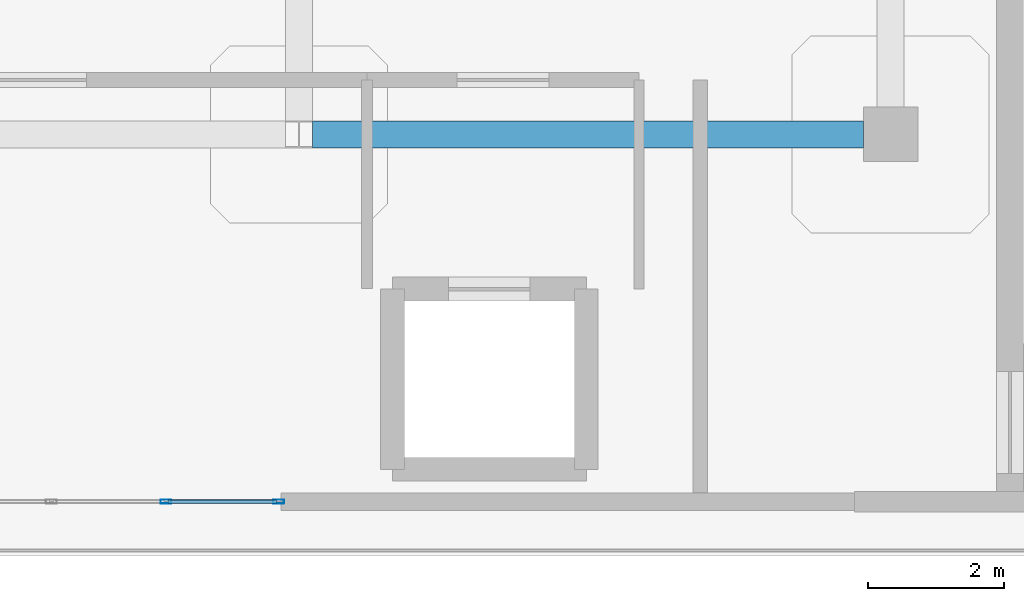
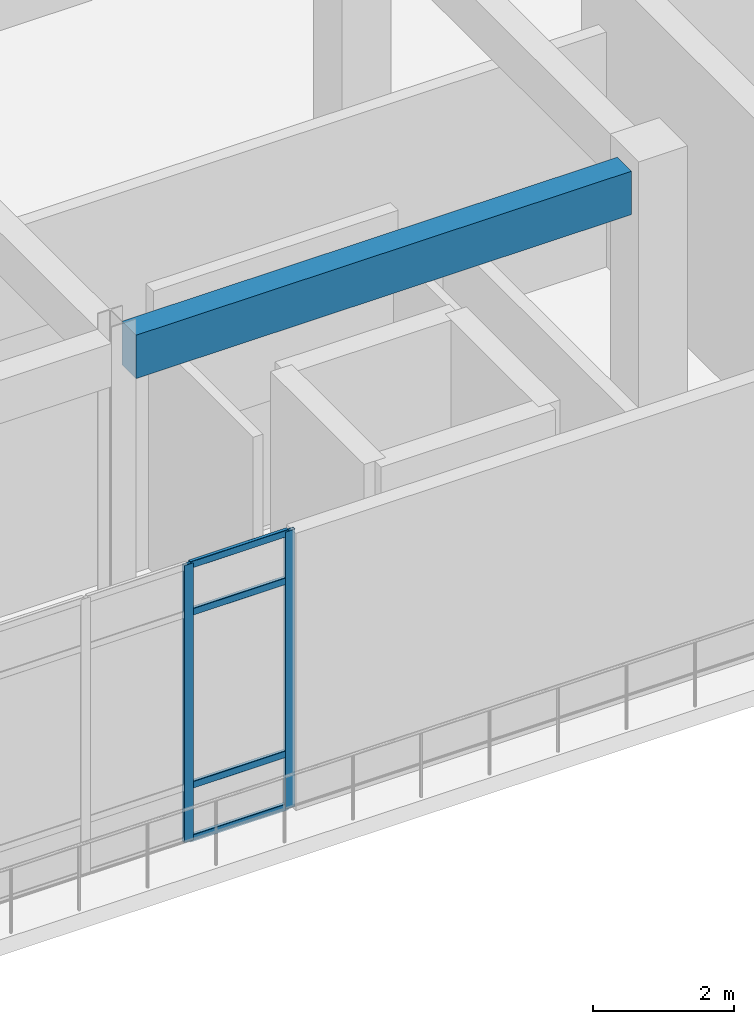
# One storey, part 57 of 96: 6 members, 1 beam, 1 element without a shape of its own.
"""IFC4 building model written with IfcOpenShell, lengths in metres."""

from ifc_helpers import new_model, si_unit, derived_unit, direction, frame, origin, origin_2d, place, context, subcontext, project, spatial, rectangle, hollow_rectangle, extrude, material, layer, layer_set, material_profile, profile_set, type_object, element, aggregate, save


model = new_model("IFC4")

# Units and contexts
model_context = context("Model", 3, precision=1e-05, world=origin(), true_north=direction((0.0, 1.0)))
body_context = subcontext(model_context, "Body", "Model", "MODEL_VIEW")
ifc_project = project(units=[si_unit("LENGTHUNIT", "METRE"), si_unit("AREAUNIT", "SQUARE_METRE"), si_unit("VOLUMEUNIT", "CUBIC_METRE"), si_unit("PLANEANGLEUNIT", "RADIAN"), si_unit("MASSUNIT", "GRAM", prefix="KILO"), derived_unit("THERMALTRANSMITTANCEUNIT", [(si_unit("MASSUNIT", "GRAM", prefix="KILO"), 1), (si_unit("TIMEUNIT", "SECOND"), -3), (si_unit("THERMODYNAMICTEMPERATUREUNIT", "KELVIN"), -1)])], contexts=[model_context])

# Site, building, storey
site_placement = place(None, origin())
site = spatial("IfcSite", under=ifc_project, at=site_placement, CompositionType="ELEMENT")
building_placement = place(site_placement, origin())
building = spatial("IfcBuilding", under=site, at=building_placement, Name="Qinzheling Arcade Emporium", CompositionType="ELEMENT")
storey_placement = place(building_placement, frame((0.0, 0.0, 21.60009765625)))
storey = spatial("IfcBuildingStorey", under=building, at=storey_placement, Name="L05", CompositionType="ELEMENT", Elevation=21.60009765625)

# Curtain wall, members
ifc_material_1 = material(Name="Anodised aluminium and solar-control double glazing", Category="aluminium")
ifc_layer = layer(ifc_material_1, 0.159912109375, Name="Anodised aluminium and solar-control double glazing", Category="aluminium")
ifc_layer_set = layer_set([ifc_layer], Name="Anodised aluminium and solar-control double glazing")
curtain_wall_type = type_object("IfcCurtainWallType", Name="Food Hall Loggia Curtain Wall", PredefinedType="NOTDEFINED", material=ifc_layer_set)
curtain_wall_placement = place(storey_placement, origin())
curtain_wall = element("IfcCurtainWall", 1, at=curtain_wall_placement, inside=storey, type_object=curtain_wall_type, Name="Curtain Wall CW-L05-294", PredefinedType="NOTDEFINED")
ifc_material_2 = material(Name="Anodised aluminium 6063-T6", Category="aluminium")
ifc_material_profile_1 = material_profile(ifc_material_2, hollow_rectangle(XDim=0.06005859375, YDim=0.159912109375, WallThickness=0.00390625, InnerFilletRadius=0.00390625, OuterFilletRadius=0.008056640625, at=origin_2d()), Name="RHS 160x60x4", Category="aluminium")
ifc_profile_set_1 = profile_set([ifc_material_profile_1], Name="Anodised aluminium 6063-T6")
member_type_1 = type_object("IfcMemberType", Name="Curtain Wall Mullion RHS160x60", PredefinedType="MULLION", material=ifc_profile_set_1)
member_1_placement = place(storey_placement, frame((130.200927734375, 3.0, 0.0), z_axis=(0.0, 0.0, 1.0), x_axis=(0.0, -1.0, 0.0)))
member_1 = element("IfcMember", 2, at=member_1_placement, type_object=member_type_1, Name="CW04 mullion 1", PredefinedType="MULLION", context=body_context, shape_type="SweptSolid", body=[
    extrude(hollow_rectangle(XDim=0.06005859375, YDim=0.159912109375, WallThickness=0.00390625, InnerFilletRadius=0.00390625, OuterFilletRadius=0.008056640625, at=origin_2d()), origin(), (0.0, 0.0, 1.0), 4.789794921875),
])
member_2_placement = place(storey_placement, frame((128.544921875, 3.0, 0.0), z_axis=(0.0, 0.0, 1.0), x_axis=(0.0, -1.0, 0.0)))
member_2 = element("IfcMember", 3, at=member_2_placement, type_object=member_type_1, Name="CW04 mullion 2", PredefinedType="MULLION", context=body_context, shape_type="SweptSolid", body=[
    extrude(hollow_rectangle(XDim=0.06005859375, YDim=0.159912109375, WallThickness=0.00390625, InnerFilletRadius=0.00390625, OuterFilletRadius=0.008056640625, at=origin_2d()), origin(), (0.0, 0.0, 1.0), 4.789794921875),
])
ifc_material_profile_2 = material_profile(ifc_material_2, hollow_rectangle(XDim=0.06005859375, YDim=0.1201171875, WallThickness=0.00390625, InnerFilletRadius=0.00390625, OuterFilletRadius=0.008056640625, at=origin_2d()), Name="RHS 120x60x4", Category="aluminium")
ifc_profile_set_2 = profile_set([ifc_material_profile_2], Name="Anodised aluminium 6063-T6")
member_type_2 = type_object("IfcMemberType", Name="Curtain Wall Transom RHS120x60", PredefinedType="USERDEFINED", material=ifc_profile_set_2)
member_3_placement = place(storey_placement, frame((130.1708984375, 3.0, 0.02978515625), z_axis=(-1.0, 0.0, 0.0), x_axis=(0.0, -1.0, 0.0)))
member_3 = element("IfcMember", 4, at=member_3_placement, type_object=member_type_2, Name="CW04 transom 1.1", ObjectType="TRANSOM", PredefinedType="USERDEFINED", context=body_context, shape_type="SweptSolid", body=[
    extrude(hollow_rectangle(XDim=0.06005859375, YDim=0.1201171875, WallThickness=0.00390625, InnerFilletRadius=0.00390625, OuterFilletRadius=0.008056640625, at=origin_2d()), origin(), (0.0, 0.0, 1.0), 1.59619140625),
])
member_4_placement = place(storey_placement, frame((130.1708984375, 3.0, 0.949951171875), z_axis=(-1.0, 0.0, 0.0), x_axis=(0.0, -1.0, 0.0)))
member_4 = element("IfcMember", 5, at=member_4_placement, type_object=member_type_2, Name="CW04 transom 1.2", ObjectType="TRANSOM", PredefinedType="USERDEFINED", context=body_context, shape_type="SweptSolid", body=[
    extrude(hollow_rectangle(XDim=0.06005859375, YDim=0.1201171875, WallThickness=0.00390625, InnerFilletRadius=0.00390625, OuterFilletRadius=0.008056640625, at=origin_2d()), origin(), (0.0, 0.0, 1.0), 1.59619140625),
])
member_5_placement = place(storey_placement, frame((130.1708984375, 3.0, 3.93994140625), z_axis=(-1.0, 0.0, 0.0), x_axis=(0.0, -1.0, 0.0)))
member_5 = element("IfcMember", 6, at=member_5_placement, type_object=member_type_2, Name="CW04 transom 1.3", ObjectType="TRANSOM", PredefinedType="USERDEFINED", context=body_context, shape_type="SweptSolid", body=[
    extrude(hollow_rectangle(XDim=0.06005859375, YDim=0.1201171875, WallThickness=0.00390625, InnerFilletRadius=0.00390625, OuterFilletRadius=0.008056640625, at=origin_2d()), origin(), (0.0, 0.0, 1.0), 1.59619140625),
])
member_6_placement = place(storey_placement, frame((130.1708984375, 3.0, 4.760009765625), z_axis=(-1.0, 0.0, 0.0), x_axis=(0.0, -1.0, 0.0)))
member_6 = element("IfcMember", 7, at=member_6_placement, type_object=member_type_2, Name="CW04 transom 1.4", ObjectType="TRANSOM", PredefinedType="USERDEFINED", context=body_context, shape_type="SweptSolid", body=[
    extrude(hollow_rectangle(XDim=0.06005859375, YDim=0.1201171875, WallThickness=0.00390625, InnerFilletRadius=0.00390625, OuterFilletRadius=0.008056640625, at=origin_2d()), origin(), (0.0, 0.0, 1.0), 1.59619140625),
])
aggregate(curtain_wall, [member_1, member_2, member_3, member_4, member_5, member_6])

# Beam
ifc_material_3 = material(Name="Concrete C40", Category="concrete")
ifc_material_profile_3 = material_profile(ifc_material_3, rectangle(XDim=0.39990234375, YDim=0.75, at=origin_2d()), Name="RC 400x750", Category="concrete")
ifc_profile_set_3 = profile_set([ifc_material_profile_3], Name="Concrete C40")
beam_type = type_object("IfcBeamType", Name="RC Interior Tie Beam 400x750 C40", PredefinedType="BEAM", material=ifc_profile_set_3)
beam_placement = place(storey_placement, frame((130.699951171875, 8.39990234375, 4.44482421875), z_axis=(1.0, 0.0, 0.0), x_axis=(0.0, 1.0, 0.0)))
element("IfcBeam", 8, at=beam_placement, inside=storey, type_object=beam_type, Name="Beam BM-L05-X-B-16", PredefinedType="BEAM", context=body_context, shape_type="SweptSolid", body=[
    extrude(rectangle(XDim=0.39990234375, YDim=0.75, at=origin_2d()), origin(), (0.0, 0.0, 1.0), 8.10009765625),
])

save(model, "model.ifc")
